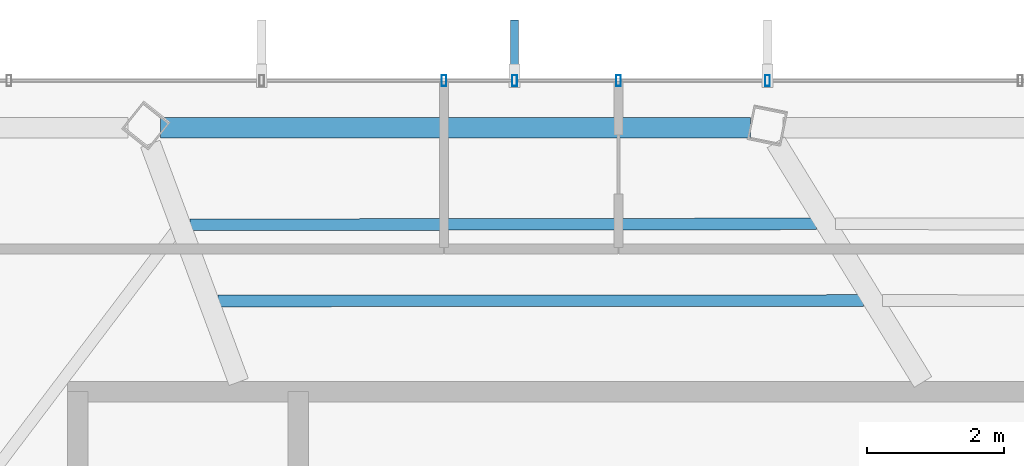
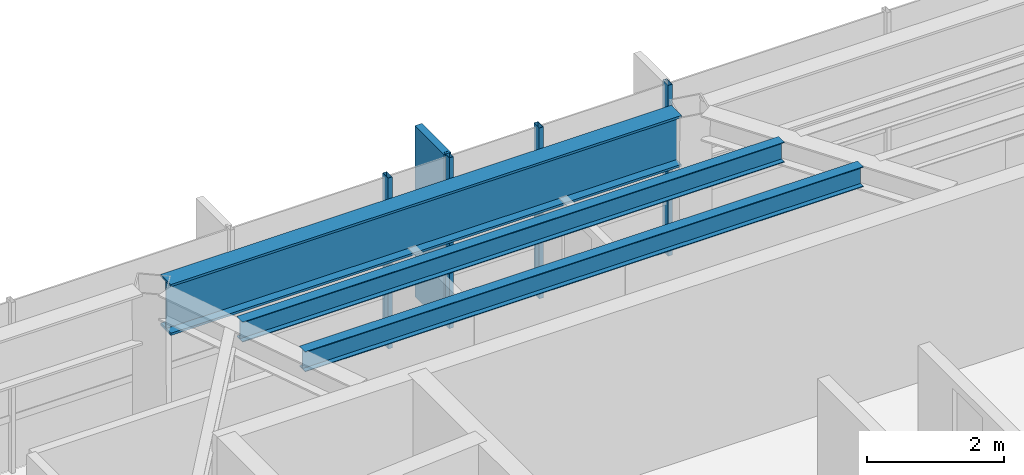
# One storey, part 12 of 24: 5 members, 3 beams, 1 element without a shape of its own.
"""IFC4 building model written with IfcOpenShell, lengths in metres."""

from ifc_helpers import new_model, si_unit, direction, frame, origin, origin_2d, place, context, subcontext, project, spatial, rectangle, hollow_rectangle, i_section, extrude, material, layer, layer_set, material_profile, profile_set, type_object, element, aggregate, save


model = new_model("IFC4")

# Units and contexts
model_context = context("Model", 3, precision=1e-05, world=origin(), true_north=direction((0.0, 1.0)))
body_context = subcontext(model_context, "Body", "Model", "MODEL_VIEW")
ifc_project = project(units=[si_unit("LENGTHUNIT", "METRE"), si_unit("AREAUNIT", "SQUARE_METRE"), si_unit("VOLUMEUNIT", "CUBIC_METRE"), si_unit("PLANEANGLEUNIT", "RADIAN"), si_unit("MASSUNIT", "GRAM", prefix="KILO")], contexts=[model_context])

# Site, building, storey
site_placement = place(None, origin())
site = spatial("IfcSite", under=ifc_project, at=site_placement, CompositionType="ELEMENT")
building_placement = place(site_placement, origin())
building = spatial("IfcBuilding", under=site, at=building_placement, Name="Zarrinselat Tower", CompositionType="ELEMENT")
storey_placement = place(building_placement, frame((0.0, 0.0, 249.56005859375)))
storey = spatial("IfcBuildingStorey", under=building, at=storey_placement, Name="L63", CompositionType="ELEMENT", Elevation=249.56005859375)

# Beams
ifc_material_1 = material(Name="Steel S460M", Category="steel")
ifc_material_profile_1 = material_profile(ifc_material_1, i_section(OverallWidth=0.302001953125, OverallDepth=0.909912109375, WebThickness=0.02099609375, FlangeThickness=0.0400390625, at=origin_2d()), Name="HEM 900")
ifc_profile_set_1 = profile_set([ifc_material_profile_1], Name="Steel S460M")
beam_type_1 = type_object("IfcBeamType", Name="BM-HEM900", PredefinedType="BEAM", material=ifc_profile_set_1)
beam_1_placement = place(storey_placement, frame((29.858642578125, 47.255615234375, 2.594970703125), z_axis=(1.0, 0.0, 0.0), x_axis=(0.0, 1.0, 0.0)))
element("IfcBeam", 1, at=beam_1_placement, inside=storey, type_object=beam_type_1, Name="L63 Perimeter Spandrel Girder SP03", PredefinedType="BEAM", context=body_context, shape_type="SweptSolid", body=[
    extrude(i_section(OverallWidth=0.302001953125, OverallDepth=0.909912109375, WebThickness=0.02099609375, FlangeThickness=0.0400390625, at=origin_2d()), origin(), (0.0, 0.0, 1.0), 8.622314453125),
])
ifc_material_2 = material(Name="Steel S355J2", Category="steel")
ifc_material_profile_2 = material_profile(ifc_material_2, i_section(OverallWidth=0.169921875, OverallDepth=0.360107421875, WebThickness=0.008056640625, FlangeThickness=0.0126953125, at=origin_2d()), Name="IPE 360")
ifc_profile_set_2 = profile_set([ifc_material_profile_2], Name="Steel S355J2")
beam_type_2 = type_object("IfcBeamType", Name="BM-IPE360", PredefinedType="JOIST", material=ifc_profile_set_2)
beam_2_placement = place(storey_placement, frame((30.28759765625, 45.836669921875, 2.869873046875), z_axis=(0.999998884623, 0.001493570639, 0.0), x_axis=(-0.001493570639, 0.999998884623, 0.0)))
element("IfcBeam", 2, at=beam_2_placement, inside=storey, type_object=beam_type_2, Name="L63 Composite Floor Joist 8-1", PredefinedType="JOIST", context=body_context, shape_type="SweptSolid", body=[
    extrude(i_section(OverallWidth=0.169921875, OverallDepth=0.360107421875, WebThickness=0.008056640625, FlangeThickness=0.0126953125, at=origin_2d()), origin(), (0.0, 0.0, 1.0), 9.15380859375),
])
beam_3_placement = place(storey_placement, frame((30.700927734375, 44.72314453125, 2.869873046875), z_axis=(0.999999718041, 0.000750944943, 0.0), x_axis=(-0.000750944943, 0.999999718041, 0.0)))
element("IfcBeam", 3, at=beam_3_placement, inside=storey, type_object=beam_type_2, Name="L63 Composite Floor Joist 8-2", PredefinedType="JOIST", context=body_context, shape_type="SweptSolid", body=[
    extrude(i_section(OverallWidth=0.169921875, OverallDepth=0.360107421875, WebThickness=0.008056640625, FlangeThickness=0.0126953125, at=origin_2d()), origin(), (0.0, 0.0, 1.0), 9.42822265625),
])

# Curtain wall, members
ifc_material_3 = material(Name="Extruded Aluminium Alloy EN AW-6063 T6", Category="aluminium")
ifc_layer = layer(ifc_material_3, 0.169921875)
ifc_layer_set = layer_set([ifc_layer], Name="Extruded Aluminium Alloy EN AW-6063 T6")
curtain_wall_type = type_object("IfcCurtainWallType", Name="CWS-RES", PredefinedType="NOTDEFINED", material=ifc_layer_set)
curtain_wall_placement = place(storey_placement, origin())
curtain_wall = element("IfcCurtainWall", 4, at=curtain_wall_placement, inside=storey, type_object=curtain_wall_type, Name="L63 Unitised Curtain Wall CW-L63-E01", PredefinedType="NOTDEFINED")
ifc_material_4 = material(Name="Extruded Aluminium Alloy EN AW-6063 T6", Category="aluminium")
ifc_material_profile_3 = material_profile(ifc_material_4, hollow_rectangle(XDim=0.070068359375, YDim=0.159912109375, WallThickness=0.00390625, at=origin_2d()), Name="RHS 160x70x4")
ifc_profile_set_3 = profile_set([ifc_material_profile_3], Name="Extruded Aluminium Alloy EN AW-6063 T6")
member_type_1 = type_object("IfcMemberType", Name="MEM-CW-MUL2", PredefinedType="MULLION", material=ifc_profile_set_3)
member_1_placement = place(storey_placement, frame((38.726806640625, 47.944580078125, 0.0), z_axis=(0.0, 0.0, 1.0), x_axis=(-1.0, 0.0, 0.0)))
member_1 = element("IfcMember", 5, at=member_1_placement, type_object=member_type_1, Name="CW-L63-E01 Mullion 5", PredefinedType="MULLION", context=body_context, shape_type="SweptSolid", body=[
    extrude(hollow_rectangle(XDim=0.070068359375, YDim=0.159912109375, WallThickness=0.00390625, at=origin_2d()), origin(), (0.0, 0.0, 1.0), 3.050048828125),
])
member_2_placement = place(storey_placement, frame((36.550048828125, 47.944580078125, 0.0), z_axis=(0.0, 0.0, 1.0), x_axis=(-1.0, 0.0, 0.0)))
member_2 = element("IfcMember", 6, at=member_2_placement, type_object=member_type_1, Name="CW-L63-E01 Mullion 6", PredefinedType="MULLION", context=body_context, shape_type="SweptSolid", body=[
    extrude(hollow_rectangle(XDim=0.070068359375, YDim=0.159912109375, WallThickness=0.00390625, at=origin_2d()), origin(), (0.0, 0.0, 1.0), 3.050048828125),
])
member_3_placement = place(storey_placement, frame((35.031982421875, 47.944580078125, 0.0), z_axis=(0.0, 0.0, 1.0), x_axis=(-1.0, 0.0, 0.0)))
member_3 = element("IfcMember", 7, at=member_3_placement, type_object=member_type_1, Name="CW-L63-E01 Mullion 7", PredefinedType="MULLION", context=body_context, shape_type="SweptSolid", body=[
    extrude(hollow_rectangle(XDim=0.070068359375, YDim=0.159912109375, WallThickness=0.00390625, at=origin_2d()), origin(), (0.0, 0.0, 1.0), 3.050048828125),
])
member_4_placement = place(storey_placement, frame((34.0, 47.944580078125, 0.0), z_axis=(0.0, 0.0, 1.0), x_axis=(-1.0, 0.0, 0.0)))
member_4 = element("IfcMember", 8, at=member_4_placement, type_object=member_type_1, Name="CW-L63-E01 Mullion 8", PredefinedType="MULLION", context=body_context, shape_type="SweptSolid", body=[
    extrude(hollow_rectangle(XDim=0.070068359375, YDim=0.159912109375, WallThickness=0.00390625, at=origin_2d()), origin(), (0.0, 0.0, 1.0), 3.050048828125),
])
ifc_material_5 = material(Name="Honed Cream Travertine Stone", Category="masonry")
ifc_material_profile_4 = material_profile(ifc_material_5, rectangle(XDim=0.1201171875, YDim=0.85009765625, at=origin_2d()), Name="FIN 850x120")
ifc_profile_set_4 = profile_set([ifc_material_profile_4], Name="Honed Cream Travertine Stone")
member_type_2 = type_object("IfcMemberType", Name="MEM-STONE-FIN", PredefinedType="USERDEFINED", material=ifc_profile_set_4)
member_5_placement = place(storey_placement, frame((35.031982421875, 48.404541015625, 0.0), z_axis=(0.0, 0.0, 1.0), x_axis=(1.0, 0.0, 0.0)))
member_5 = element("IfcMember", 9, at=member_5_placement, type_object=member_type_2, Name="L63 Stone Shading Fin CW-L63-E01-07", ObjectType="FIN", PredefinedType="USERDEFINED", context=body_context, shape_type="SweptSolid", body=[
    extrude(rectangle(XDim=0.1201171875, YDim=0.85009765625, at=origin_2d()), origin(), (0.0, 0.0, 1.0), 3.050048828125),
])
aggregate(curtain_wall, [member_1, member_2, member_3, member_5, member_4])

save(model, "model.ifc")
